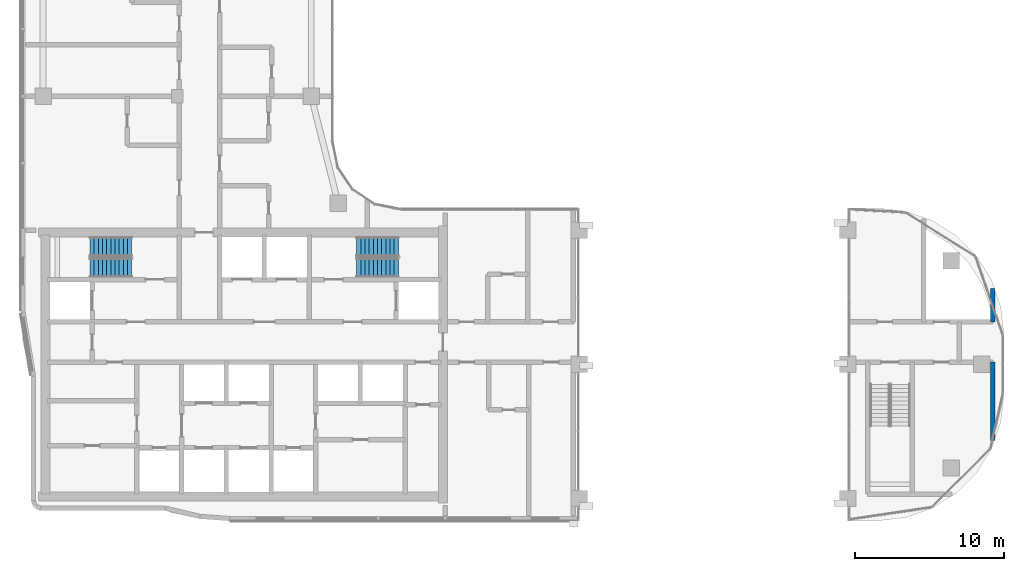
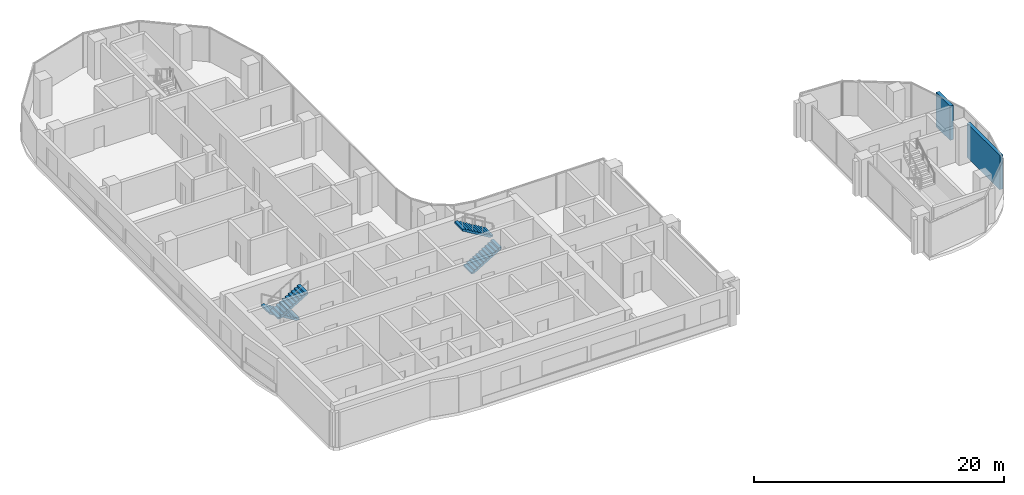
# One storey, part 14 of 23: 4 stair flights, 2 walls, 2 elements without a shape of their own.
"""IFC4 building model written with IfcOpenShell, lengths in metres."""

from ifc_helpers import new_model, si_unit, direction, frame, frame_2d, origin, place, context, subcontext, project, spatial, rectangle, extrude, triangles, source, transform, mapped, material, layer, layer_set, type_object, element, aggregate, save


model = new_model("IFC4")

# Units and contexts
model_context = context("Model", 3, precision=1e-05, world=origin(), true_north=direction((0.0, 1.0)))
body_context = subcontext(model_context, "Body", "Model", "MODEL_VIEW")
ifc_project = project(units=[si_unit("LENGTHUNIT", "METRE"), si_unit("AREAUNIT", "SQUARE_METRE"), si_unit("VOLUMEUNIT", "CUBIC_METRE"), si_unit("PLANEANGLEUNIT", "RADIAN"), si_unit("MASSUNIT", "GRAM", prefix="KILO")], contexts=[model_context])

# Site, building, storey
site_placement = place(None, origin())
site = spatial("IfcSite", under=ifc_project, at=site_placement, CompositionType="ELEMENT")
building_placement = place(site_placement, origin())
building = spatial("IfcBuilding", under=site, at=building_placement, Name="Ogive Portal Towers", CompositionType="ELEMENT")
storey_placement = place(building_placement, frame((0.0, 0.0, 149.60009765625)))
storey = spatial("IfcBuildingStorey", under=building, at=storey_placement, Name="L36", CompositionType="ELEMENT", Elevation=149.60009765625)

# Walls
ifc_material_1 = material(Name="Gypsum board partition on steel studs", Category="steel")
ifc_layer = layer(ifc_material_1, 0.300048828125)
ifc_layer_set = layer_set([ifc_layer], Name="WT-PART-300-EI 60")
wall_type = type_object("IfcWallType", Name="WT-PART-300-EI 60", PredefinedType="PARTITIONING", material=ifc_layer_set)
wall_1_placement = place(storey_placement, frame((95.25, 25.386962890625, 0.0), z_axis=(0.0, 0.0, 1.0), x_axis=(0.0, 1.0, 0.0)))
element("IfcWall", 1, at=wall_1_placement, inside=storey, type_object=wall_type, Name="Wall L36:w049", PredefinedType="PARTITIONING", context=body_context, shape_type="SweptSolid", body=[
    extrude(rectangle(XDim=5.262939453125, YDim=0.300048828125, at=frame_2d((2.63134765625, 0.0))), origin(), (0.0, 0.0, 1.0), 3.349853515625),
])
wall_2_placement = place(storey_placement, frame((95.25, 33.35009765625, 0.0), z_axis=(0.0, 0.0, 1.0), x_axis=(0.0, 1.0, 0.0)))
element("IfcWall", 2, at=wall_2_placement, inside=storey, type_object=wall_type, Name="Wall L36:w050", PredefinedType="PARTITIONING", context=body_context, shape_type="SweptSolid", body=[
    extrude(rectangle(XDim=2.262939453125, YDim=0.300048828125, at=frame_2d((1.13134765625, 0.0))), origin(), (0.0, 0.0, 1.0), 3.349853515625),
])

# Stair, stair flights
ifc_material_2 = material(Name="Concrete C40/50", Category="concrete")
stair_type = type_object("IfcStairType", Name="INT-STAIR", PredefinedType="HALF_TURN_STAIR", material=ifc_material_2)
stair_1_placement = place(storey_placement, origin())
stair_1 = element("IfcStair", 3, at=stair_1_placement, inside=storey, type_object=stair_type, Name="L36 Exit Stair ST-A1", PredefinedType="HALF_TURN_STAIR")
stair_flight_type = type_object("IfcStairFlightType", Name="INT-FLIGHT", PredefinedType="STRAIGHT", material=ifc_material_2)
shared_shape = source(origin(), body_context, "Body", "Tessellation", [
    triangles([(0.0, -0.650146484375, 0.0), (0.0, -0.376220703125, 0.0), (0.0, -0.192626953125, 0.0), (0.0, -0.081298828125, 0.0), (0.0, -0.024169921875, 0.0), (0.0, -0.003173828125, 0.0), (0.0, 0.0, 0.0), (0.0, 0.0029296875, 0.0), (0.0, 0.02392578125, 0.0), (0.0, 0.0810546875, 0.0), (0.0, 0.1923828125, 0.0), (0.0, 0.3759765625, 0.0), (0.0, 0.64990234375, 0.0), (0.0, -0.650146484375, 0.168212890625), (0.0, -0.376220703125, 0.168212890625), (0.0, -0.192626953125, 0.168212890625), (0.0, -0.081298828125, 0.168212890625), (0.0, -0.024169921875, 0.168212890625), (0.0, -0.003173828125, 0.168212890625), (0.0, 0.0, 0.168212890625), (0.0, 0.0029296875, 0.168212890625), (0.0, 0.02392578125, 0.168212890625), (0.0, 0.0810546875, 0.168212890625), (0.0, 0.1923828125, 0.168212890625), (0.0, 0.3759765625, 0.168212890625), (0.0, 0.64990234375, 0.168212890625), (0.280029296875, -0.650146484375, 0.168212890625), (0.280029296875, -0.376220703125, 0.168212890625), (0.280029296875, -0.192626953125, 0.168212890625), (0.280029296875, -0.081298828125, 0.168212890625), (0.280029296875, -0.024169921875, 0.168212890625), (0.280029296875, -0.003173828125, 0.168212890625), (0.280029296875, 0.0, 0.168212890625), (0.280029296875, 0.0029296875, 0.168212890625), (0.280029296875, 0.02392578125, 0.168212890625), (0.280029296875, 0.0810546875, 0.168212890625), (0.280029296875, 0.1923828125, 0.168212890625), (0.280029296875, 0.3759765625, 0.168212890625), (0.280029296875, 0.64990234375, 0.168212890625), (0.280029296875, -0.650146484375, 0.33642578125), (0.280029296875, -0.376220703125, 0.33642578125), (0.280029296875, -0.192626953125, 0.33642578125), (0.280029296875, -0.081298828125, 0.33642578125), (0.280029296875, -0.024169921875, 0.33642578125), (0.280029296875, -0.003173828125, 0.33642578125), (0.280029296875, 0.0, 0.33642578125), (0.280029296875, 0.0029296875, 0.33642578125), (0.280029296875, 0.02392578125, 0.33642578125), (0.280029296875, 0.0810546875, 0.33642578125), (0.280029296875, 0.1923828125, 0.33642578125), (0.280029296875, 0.3759765625, 0.33642578125), (0.280029296875, 0.64990234375, 0.33642578125), (0.56005859375, -0.650146484375, 0.33642578125), (0.56005859375, -0.376220703125, 0.33642578125), (0.56005859375, -0.192626953125, 0.33642578125), (0.56005859375, -0.081298828125, 0.33642578125), (0.56005859375, -0.024169921875, 0.33642578125), (0.56005859375, -0.003173828125, 0.33642578125), (0.56005859375, 0.0, 0.33642578125), (0.56005859375, 0.0029296875, 0.33642578125), (0.56005859375, 0.02392578125, 0.33642578125), (0.56005859375, 0.0810546875, 0.33642578125), (0.56005859375, 0.1923828125, 0.33642578125), (0.56005859375, 0.3759765625, 0.33642578125), (0.56005859375, 0.64990234375, 0.33642578125), (0.56005859375, -0.650146484375, 0.504638671875), (0.56005859375, -0.376220703125, 0.504638671875), (0.56005859375, -0.192626953125, 0.504638671875), (0.56005859375, -0.081298828125, 0.504638671875), (0.56005859375, -0.024169921875, 0.504638671875), (0.56005859375, -0.003173828125, 0.504638671875), (0.56005859375, 0.0, 0.504638671875), (0.56005859375, 0.0029296875, 0.504638671875), (0.56005859375, 0.02392578125, 0.504638671875), (0.56005859375, 0.0810546875, 0.504638671875), (0.56005859375, 0.1923828125, 0.504638671875), (0.56005859375, 0.3759765625, 0.504638671875), (0.56005859375, 0.64990234375, 0.504638671875), (0.840087890625, -0.650146484375, 0.504638671875), (0.840087890625, -0.376220703125, 0.504638671875), (0.840087890625, -0.192626953125, 0.504638671875), (0.840087890625, -0.081298828125, 0.504638671875), (0.840087890625, -0.024169921875, 0.504638671875), (0.840087890625, -0.003173828125, 0.504638671875), (0.840087890625, 0.0, 0.504638671875), (0.840087890625, 0.0029296875, 0.504638671875), (0.840087890625, 0.02392578125, 0.504638671875), (0.840087890625, 0.0810546875, 0.504638671875), (0.840087890625, 0.1923828125, 0.504638671875), (0.840087890625, 0.3759765625, 0.504638671875), (0.840087890625, 0.64990234375, 0.504638671875), (0.840087890625, -0.650146484375, 0.672607421875), (0.840087890625, -0.376220703125, 0.672607421875), (0.840087890625, -0.192626953125, 0.672607421875), (0.840087890625, -0.081298828125, 0.672607421875), (0.840087890625, -0.024169921875, 0.672607421875), (0.840087890625, -0.003173828125, 0.672607421875), (0.840087890625, 0.0, 0.672607421875), (0.840087890625, 0.0029296875, 0.672607421875), (0.840087890625, 0.02392578125, 0.672607421875), (0.840087890625, 0.0810546875, 0.672607421875), (0.840087890625, 0.1923828125, 0.672607421875), (0.840087890625, 0.3759765625, 0.672607421875), (0.840087890625, 0.64990234375, 0.672607421875), (1.1201171875, -0.650146484375, 0.672607421875), (1.1201171875, -0.376220703125, 0.672607421875), (1.1201171875, -0.192626953125, 0.672607421875), (1.1201171875, -0.081298828125, 0.672607421875), (1.1201171875, -0.024169921875, 0.672607421875), (1.1201171875, -0.003173828125, 0.672607421875), (1.1201171875, 0.0, 0.672607421875), (1.1201171875, 0.0029296875, 0.672607421875), (1.1201171875, 0.02392578125, 0.672607421875), (1.1201171875, 0.0810546875, 0.672607421875), (1.1201171875, 0.1923828125, 0.672607421875), (1.1201171875, 0.3759765625, 0.672607421875), (1.1201171875, 0.64990234375, 0.672607421875), (1.1201171875, -0.650146484375, 0.8408203125), (1.1201171875, -0.376220703125, 0.8408203125), (1.1201171875, -0.192626953125, 0.8408203125), (1.1201171875, -0.081298828125, 0.8408203125), (1.1201171875, -0.024169921875, 0.8408203125), (1.1201171875, -0.003173828125, 0.8408203125), (1.1201171875, 0.0, 0.8408203125), (1.1201171875, 0.0029296875, 0.8408203125), (1.1201171875, 0.02392578125, 0.8408203125), (1.1201171875, 0.0810546875, 0.8408203125), (1.1201171875, 0.1923828125, 0.8408203125), (1.1201171875, 0.3759765625, 0.8408203125), (1.1201171875, 0.64990234375, 0.8408203125), (1.39990234375, -0.650146484375, 0.8408203125), (1.39990234375, -0.376220703125, 0.8408203125), (1.39990234375, -0.192626953125, 0.8408203125), (1.39990234375, -0.081298828125, 0.8408203125), (1.39990234375, -0.024169921875, 0.8408203125), (1.39990234375, -0.003173828125, 0.8408203125), (1.39990234375, 0.0, 0.8408203125), (1.39990234375, 0.0029296875, 0.8408203125), (1.39990234375, 0.02392578125, 0.8408203125), (1.39990234375, 0.0810546875, 0.8408203125), (1.39990234375, 0.1923828125, 0.8408203125), (1.39990234375, 0.3759765625, 0.8408203125), (1.39990234375, 0.64990234375, 0.8408203125), (1.39990234375, -0.650146484375, 1.009033203125), (1.39990234375, -0.376220703125, 1.009033203125), (1.39990234375, -0.192626953125, 1.009033203125), (1.39990234375, -0.081298828125, 1.009033203125), (1.39990234375, -0.024169921875, 1.009033203125), (1.39990234375, -0.003173828125, 1.009033203125), (1.39990234375, 0.0, 1.009033203125), (1.39990234375, 0.0029296875, 1.009033203125), (1.39990234375, 0.02392578125, 1.009033203125), (1.39990234375, 0.0810546875, 1.009033203125), (1.39990234375, 0.1923828125, 1.009033203125), (1.39990234375, 0.3759765625, 1.009033203125), (1.39990234375, 0.64990234375, 1.009033203125), (1.679931640625, -0.650146484375, 1.009033203125), (1.679931640625, -0.376220703125, 1.009033203125), (1.679931640625, -0.192626953125, 1.009033203125), (1.679931640625, -0.081298828125, 1.009033203125), (1.679931640625, -0.024169921875, 1.009033203125), (1.679931640625, -0.003173828125, 1.009033203125), (1.679931640625, 0.0, 1.009033203125), (1.679931640625, 0.0029296875, 1.009033203125), (1.679931640625, 0.02392578125, 1.009033203125), (1.679931640625, 0.0810546875, 1.009033203125), (1.679931640625, 0.1923828125, 1.009033203125), (1.679931640625, 0.3759765625, 1.009033203125), (1.679931640625, 0.64990234375, 1.009033203125), (1.679931640625, -0.650146484375, 1.17724609375), (1.679931640625, -0.376220703125, 1.17724609375), (1.679931640625, -0.192626953125, 1.17724609375), (1.679931640625, -0.081298828125, 1.17724609375), (1.679931640625, -0.024169921875, 1.17724609375), (1.679931640625, -0.003173828125, 1.17724609375), (1.679931640625, 0.0, 1.17724609375), (1.679931640625, 0.0029296875, 1.17724609375), (1.679931640625, 0.02392578125, 1.17724609375), (1.679931640625, 0.0810546875, 1.17724609375), (1.679931640625, 0.1923828125, 1.17724609375), (1.679931640625, 0.3759765625, 1.17724609375), (1.679931640625, 0.64990234375, 1.17724609375), (1.9599609375, -0.650146484375, 1.17724609375), (1.9599609375, -0.376220703125, 1.17724609375), (1.9599609375, -0.192626953125, 1.17724609375), (1.9599609375, -0.081298828125, 1.17724609375), (1.9599609375, -0.024169921875, 1.17724609375), (1.9599609375, -0.003173828125, 1.17724609375), (1.9599609375, 0.0, 1.17724609375), (1.9599609375, 0.0029296875, 1.17724609375), (1.9599609375, 0.02392578125, 1.17724609375), (1.9599609375, 0.0810546875, 1.17724609375), (1.9599609375, 0.1923828125, 1.17724609375), (1.9599609375, 0.3759765625, 1.17724609375), (1.9599609375, 0.64990234375, 1.17724609375), (1.9599609375, -0.650146484375, 1.345458984375), (1.9599609375, -0.376220703125, 1.345458984375), (1.9599609375, -0.192626953125, 1.345458984375), (1.9599609375, -0.081298828125, 1.345458984375), (1.9599609375, -0.024169921875, 1.345458984375), (1.9599609375, -0.003173828125, 1.345458984375), (1.9599609375, 0.0, 1.345458984375), (1.9599609375, 0.0029296875, 1.345458984375), (1.9599609375, 0.02392578125, 1.345458984375), (1.9599609375, 0.0810546875, 1.345458984375), (1.9599609375, 0.1923828125, 1.345458984375), (1.9599609375, 0.3759765625, 1.345458984375), (1.9599609375, 0.64990234375, 1.345458984375), (2.239990234375, -0.650146484375, 1.345458984375), (2.239990234375, -0.376220703125, 1.345458984375), (2.239990234375, -0.192626953125, 1.345458984375), (2.239990234375, -0.081298828125, 1.345458984375), (2.239990234375, -0.024169921875, 1.345458984375), (2.239990234375, -0.003173828125, 1.345458984375), (2.239990234375, 0.0, 1.345458984375), (2.239990234375, 0.0029296875, 1.345458984375), (2.239990234375, 0.02392578125, 1.345458984375), (2.239990234375, 0.0810546875, 1.345458984375), (2.239990234375, 0.1923828125, 1.345458984375), (2.239990234375, 0.3759765625, 1.345458984375), (2.239990234375, 0.64990234375, 1.345458984375), (2.239990234375, -0.650146484375, 1.513671875), (2.239990234375, -0.376220703125, 1.513671875), (2.239990234375, -0.192626953125, 1.513671875), (2.239990234375, -0.081298828125, 1.513671875), (2.239990234375, -0.024169921875, 1.513671875), (2.239990234375, -0.003173828125, 1.513671875), (2.239990234375, 0.0, 1.513671875), (2.239990234375, 0.0029296875, 1.513671875), (2.239990234375, 0.02392578125, 1.513671875), (2.239990234375, 0.0810546875, 1.513671875), (2.239990234375, 0.1923828125, 1.513671875), (2.239990234375, 0.3759765625, 1.513671875), (2.239990234375, 0.64990234375, 1.513671875), (2.52001953125, -0.650146484375, 1.513671875), (2.52001953125, -0.376220703125, 1.513671875), (2.52001953125, -0.192626953125, 1.513671875), (2.52001953125, -0.081298828125, 1.513671875), (2.52001953125, -0.024169921875, 1.513671875), (2.52001953125, -0.003173828125, 1.513671875), (2.52001953125, 0.0, 1.513671875), (2.52001953125, 0.0029296875, 1.513671875), (2.52001953125, 0.02392578125, 1.513671875), (2.52001953125, 0.0810546875, 1.513671875), (2.52001953125, 0.1923828125, 1.513671875), (2.52001953125, 0.3759765625, 1.513671875), (2.52001953125, 0.64990234375, 1.513671875), (2.52001953125, -0.650146484375, 1.681884765625), (2.52001953125, -0.376220703125, 1.681884765625), (2.52001953125, -0.192626953125, 1.681884765625), (2.52001953125, -0.081298828125, 1.681884765625), (2.52001953125, -0.024169921875, 1.681884765625), (2.52001953125, -0.003173828125, 1.681884765625), (2.52001953125, 0.0, 1.681884765625), (2.52001953125, 0.0029296875, 1.681884765625), (2.52001953125, 0.02392578125, 1.681884765625), (2.52001953125, 0.0810546875, 1.681884765625), (2.52001953125, 0.1923828125, 1.681884765625), (2.52001953125, 0.3759765625, 1.681884765625), (2.52001953125, 0.64990234375, 1.681884765625), (2.800048828125, -0.650146484375, 1.681884765625), (2.800048828125, -0.376220703125, 1.681884765625), (2.800048828125, -0.192626953125, 1.681884765625), (2.800048828125, -0.081298828125, 1.681884765625), (2.800048828125, -0.024169921875, 1.681884765625), (2.800048828125, -0.003173828125, 1.681884765625), (2.800048828125, 0.0, 1.681884765625), (2.800048828125, 0.0029296875, 1.681884765625), (2.800048828125, 0.02392578125, 1.681884765625), (2.800048828125, 0.0810546875, 1.681884765625), (2.800048828125, 0.1923828125, 1.681884765625), (2.800048828125, 0.3759765625, 1.681884765625), (2.800048828125, 0.64990234375, 1.681884765625), (2.800048828125, -0.650146484375, 1.5068359375), (2.800048828125, -0.376220703125, 1.5068359375), (2.800048828125, -0.192626953125, 1.5068359375), (2.800048828125, -0.081298828125, 1.5068359375), (2.800048828125, -0.024169921875, 1.5068359375), (2.800048828125, -0.003173828125, 1.5068359375), (2.800048828125, 0.0, 1.5068359375), (2.800048828125, 0.0029296875, 1.5068359375), (2.800048828125, 0.02392578125, 1.5068359375), (2.800048828125, 0.0810546875, 1.5068359375), (2.800048828125, 0.1923828125, 1.5068359375), (2.800048828125, 0.3759765625, 1.5068359375), (2.800048828125, 0.64990234375, 1.5068359375), (0.291015625, -0.650146484375, 0.0), (0.291015625, -0.376220703125, 0.0), (0.291015625, -0.192626953125, 0.0), (0.291015625, -0.081298828125, 0.0), (0.291015625, -0.024169921875, 0.0), (0.291015625, -0.003173828125, 0.0), (0.291015625, 0.0, 0.0), (0.291015625, 0.0029296875, 0.0), (0.291015625, 0.02392578125, 0.0), (0.291015625, 0.0810546875, 0.0), (0.291015625, 0.1923828125, 0.0), (0.291015625, 0.3759765625, 0.0), (0.291015625, 0.64990234375, 0.0)], [[1, 14, 15], [1, 15, 2], [2, 15, 16], [2, 16, 3], [3, 16, 17], [3, 17, 4], [4, 17, 18], [4, 18, 5], [5, 18, 19], [5, 19, 6], [6, 19, 20], [6, 20, 7], [7, 20, 21], [7, 21, 8], [8, 21, 22], [8, 22, 9], [9, 22, 23], [9, 23, 10], [10, 23, 24], [10, 24, 11], [11, 24, 25], [11, 25, 12], [12, 25, 26], [12, 26, 13], [14, 27, 28], [14, 28, 15], [15, 28, 29], [15, 29, 16], [16, 29, 30], [16, 30, 17], [17, 30, 31], [17, 31, 18], [18, 31, 32], [18, 32, 19], [19, 32, 33], [19, 33, 20], [20, 33, 34], [20, 34, 21], [21, 34, 35], [21, 35, 22], [22, 35, 36], [22, 36, 23], [23, 36, 37], [23, 37, 24], [24, 37, 38], [24, 38, 25], [25, 38, 39], [25, 39, 26], [27, 40, 41], [27, 41, 28], [28, 41, 42], [28, 42, 29], [29, 42, 43], [29, 43, 30], [30, 43, 44], [30, 44, 31], [31, 44, 45], [31, 45, 32], [32, 45, 46], [32, 46, 33], [33, 46, 47], [33, 47, 34], [34, 47, 48], [34, 48, 35], [35, 48, 49], [35, 49, 36], [36, 49, 50], [36, 50, 37], [37, 50, 51], [37, 51, 38], [38, 51, 52], [38, 52, 39], [40, 53, 54], [40, 54, 41], [41, 54, 55], [41, 55, 42], [42, 55, 56], [42, 56, 43], [43, 56, 57], [43, 57, 44], [44, 57, 58], [44, 58, 45], [45, 58, 59], [45, 59, 46], [46, 59, 60], [46, 60, 47], [47, 60, 61], [47, 61, 48], [48, 61, 62], [48, 62, 49], [49, 62, 63], [49, 63, 50], [50, 63, 64], [50, 64, 51], [51, 64, 65], [51, 65, 52], [53, 66, 67], [53, 67, 54], [54, 67, 68], [54, 68, 55], [55, 68, 69], [55, 69, 56], [56, 69, 70], [56, 70, 57], [57, 70, 71], [57, 71, 58], [58, 71, 72], [58, 72, 59], [59, 72, 73], [59, 73, 60], [60, 73, 74], [60, 74, 61], [61, 74, 75], [61, 75, 62], [62, 75, 76], [62, 76, 63], [63, 76, 77], [63, 77, 64], [64, 77, 78], [64, 78, 65], [66, 79, 80], [66, 80, 67], [67, 80, 81], [67, 81, 68], [68, 81, 82], [68, 82, 69], [69, 82, 83], [69, 83, 70], [70, 83, 84], [70, 84, 71], [71, 84, 85], [71, 85, 72], [72, 85, 86], [72, 86, 73], [73, 86, 87], [73, 87, 74], [74, 87, 88], [74, 88, 75], [75, 88, 89], [75, 89, 76], [76, 89, 90], [76, 90, 77], [77, 90, 91], [77, 91, 78], [79, 92, 93], [79, 93, 80], [80, 93, 94], [80, 94, 81], [81, 94, 95], [81, 95, 82], [82, 95, 96], [82, 96, 83], [83, 96, 97], [83, 97, 84], [84, 97, 98], [84, 98, 85], [85, 98, 99], [85, 99, 86], [86, 99, 100], [86, 100, 87], [87, 100, 101], [87, 101, 88], [88, 101, 102], [88, 102, 89], [89, 102, 103], [89, 103, 90], [90, 103, 104], [90, 104, 91], [92, 105, 106], [92, 106, 93], [93, 106, 107], [93, 107, 94], [94, 107, 108], [94, 108, 95], [95, 108, 109], [95, 109, 96], [96, 109, 110], [96, 110, 97], [97, 110, 111], [97, 111, 98], [98, 111, 112], [98, 112, 99], [99, 112, 113], [99, 113, 100], [100, 113, 114], [100, 114, 101], [101, 114, 115], [101, 115, 102], [102, 115, 116], [102, 116, 103], [103, 116, 117], [103, 117, 104], [105, 118, 119], [105, 119, 106], [106, 119, 120], [106, 120, 107], [107, 120, 121], [107, 121, 108], [108, 121, 122], [108, 122, 109], [109, 122, 123], [109, 123, 110], [110, 123, 124], [110, 124, 111], [111, 124, 125], [111, 125, 112], [112, 125, 126], [112, 126, 113], [113, 126, 127], [113, 127, 114], [114, 127, 128], [114, 128, 115], [115, 128, 129], [115, 129, 116], [116, 129, 130], [116, 130, 117], [118, 131, 132], [118, 132, 119], [119, 132, 133], [119, 133, 120], [120, 133, 134], [120, 134, 121], [121, 134, 135], [121, 135, 122], [122, 135, 136], [122, 136, 123], [123, 136, 137], [123, 137, 124], [124, 137, 138], [124, 138, 125], [125, 138, 139], [125, 139, 126], [126, 139, 140], [126, 140, 127], [127, 140, 141], [127, 141, 128], [128, 141, 142], [128, 142, 129], [129, 142, 143], [129, 143, 130], [131, 144, 145], [131, 145, 132], [132, 145, 146], [132, 146, 133], [133, 146, 147], [133, 147, 134], [134, 147, 148], [134, 148, 135], [135, 148, 149], [135, 149, 136], [136, 149, 150], [136, 150, 137], [137, 150, 151], [137, 151, 138], [138, 151, 152], [138, 152, 139], [139, 152, 153], [139, 153, 140], [140, 153, 154], [140, 154, 141], [141, 154, 155], [141, 155, 142], [142, 155, 156], [142, 156, 143], [144, 157, 158], [144, 158, 145], [145, 158, 159], [145, 159, 146], [146, 159, 160], [146, 160, 147], [147, 160, 161], [147, 161, 148], [148, 161, 162], [148, 162, 149], [149, 162, 163], [149, 163, 150], [150, 163, 164], [150, 164, 151], [151, 164, 165], [151, 165, 152], [152, 165, 166], [152, 166, 153], [153, 166, 167], [153, 167, 154], [154, 167, 168], [154, 168, 155], [155, 168, 169], [155, 169, 156], [157, 170, 171], [157, 171, 158], [158, 171, 172], [158, 172, 159], [159, 172, 173], [159, 173, 160], [160, 173, 174], [160, 174, 161], [161, 174, 175], [161, 175, 162], [162, 175, 176], [162, 176, 163], [163, 176, 177], [163, 177, 164], [164, 177, 178], [164, 178, 165], [165, 178, 179], [165, 179, 166], [166, 179, 180], [166, 180, 167], [167, 180, 181], [167, 181, 168], [168, 181, 182], [168, 182, 169], [170, 183, 184], [170, 184, 171], [171, 184, 185], [171, 185, 172], [172, 185, 186], [172, 186, 173], [173, 186, 187], [173, 187, 174], [174, 187, 188], [174, 188, 175], [175, 188, 189], [175, 189, 176], [176, 189, 190], [176, 190, 177], [177, 190, 191], [177, 191, 178], [178, 191, 192], [178, 192, 179], [179, 192, 193], [179, 193, 180], [180, 193, 194], [180, 194, 181], [181, 194, 195], [181, 195, 182], [183, 196, 197], [183, 197, 184], [184, 197, 198], [184, 198, 185], [185, 198, 199], [185, 199, 186], [186, 199, 200], [186, 200, 187], [187, 200, 201], [187, 201, 188], [188, 201, 202], [188, 202, 189], [189, 202, 203], [189, 203, 190], [190, 203, 204], [190, 204, 191], [191, 204, 205], [191, 205, 192], [192, 205, 206], [192, 206, 193], [193, 206, 207], [193, 207, 194], [194, 207, 208], [194, 208, 195], [196, 209, 210], [196, 210, 197], [197, 210, 211], [197, 211, 198], [198, 211, 212], [198, 212, 199], [199, 212, 213], [199, 213, 200], [200, 213, 214], [200, 214, 201], [201, 214, 215], [201, 215, 202], [202, 215, 216], [202, 216, 203], [203, 216, 217], [203, 217, 204], [204, 217, 218], [204, 218, 205], [205, 218, 219], [205, 219, 206], [206, 219, 220], [206, 220, 207], [207, 220, 221], [207, 221, 208], [209, 222, 223], [209, 223, 210], [210, 223, 224], [210, 224, 211], [211, 224, 225], [211, 225, 212], [212, 225, 226], [212, 226, 213], [213, 226, 227], [213, 227, 214], [214, 227, 228], [214, 228, 215], [215, 228, 229], [215, 229, 216], [216, 229, 230], [216, 230, 217], [217, 230, 231], [217, 231, 218], [218, 231, 232], [218, 232, 219], [219, 232, 233], [219, 233, 220], [220, 233, 234], [220, 234, 221], [222, 235, 236], [222, 236, 223], [223, 236, 237], [223, 237, 224], [224, 237, 238], [224, 238, 225], [225, 238, 239], [225, 239, 226], [226, 239, 240], [226, 240, 227], [227, 240, 241], [227, 241, 228], [228, 241, 242], [228, 242, 229], [229, 242, 243], [229, 243, 230], [230, 243, 244], [230, 244, 231], [231, 244, 245], [231, 245, 232], [232, 245, 246], [232, 246, 233], [233, 246, 247], [233, 247, 234], [235, 248, 249], [235, 249, 236], [236, 249, 250], [236, 250, 237], [237, 250, 251], [237, 251, 238], [238, 251, 252], [238, 252, 239], [239, 252, 253], [239, 253, 240], [240, 253, 254], [240, 254, 241], [241, 254, 255], [241, 255, 242], [242, 255, 256], [242, 256, 243], [243, 256, 257], [243, 257, 244], [244, 257, 258], [244, 258, 245], [245, 258, 259], [245, 259, 246], [246, 259, 260], [246, 260, 247], [248, 261, 262], [248, 262, 249], [249, 262, 263], [249, 263, 250], [250, 263, 264], [250, 264, 251], [251, 264, 265], [251, 265, 252], [252, 265, 266], [252, 266, 253], [253, 266, 267], [253, 267, 254], [254, 267, 268], [254, 268, 255], [255, 268, 269], [255, 269, 256], [256, 269, 270], [256, 270, 257], [257, 270, 271], [257, 271, 258], [258, 271, 272], [258, 272, 259], [259, 272, 273], [259, 273, 260], [261, 274, 275], [261, 275, 262], [262, 275, 276], [262, 276, 263], [263, 276, 277], [263, 277, 264], [264, 277, 278], [264, 278, 265], [265, 278, 279], [265, 279, 266], [266, 279, 280], [266, 280, 267], [267, 280, 281], [267, 281, 268], [268, 281, 282], [268, 282, 269], [269, 282, 283], [269, 283, 270], [270, 283, 284], [270, 284, 271], [271, 284, 285], [271, 285, 272], [272, 285, 286], [272, 286, 273], [274, 287, 288], [274, 288, 275], [275, 288, 289], [275, 289, 276], [276, 289, 290], [276, 290, 277], [277, 290, 291], [277, 291, 278], [278, 291, 292], [278, 292, 279], [279, 292, 293], [279, 293, 280], [280, 293, 294], [280, 294, 281], [281, 294, 295], [281, 295, 282], [282, 295, 296], [282, 296, 283], [283, 296, 297], [283, 297, 284], [284, 297, 298], [284, 298, 285], [285, 298, 299], [285, 299, 286], [287, 1, 2], [287, 2, 288], [288, 2, 3], [288, 3, 289], [289, 3, 4], [289, 4, 290], [290, 4, 5], [290, 5, 291], [291, 5, 6], [291, 6, 292], [292, 6, 7], [292, 7, 293], [293, 7, 8], [293, 8, 294], [294, 8, 9], [294, 9, 295], [295, 9, 10], [295, 10, 296], [296, 10, 11], [296, 11, 297], [297, 11, 12], [297, 12, 298], [298, 12, 13], [298, 13, 299], [1, 287, 274], [13, 286, 299], [274, 261, 248], [286, 260, 273], [274, 248, 235], [286, 247, 260], [274, 235, 222], [286, 234, 247], [274, 222, 209], [286, 221, 234], [209, 196, 183], [221, 195, 208], [274, 209, 183], [286, 195, 221], [183, 170, 157], [195, 169, 182], [274, 183, 157], [286, 169, 195], [157, 144, 131], [169, 143, 156], [274, 157, 131], [286, 143, 169], [131, 118, 105], [143, 117, 130], [274, 131, 105], [286, 117, 143], [1, 274, 105], [13, 117, 286], [105, 92, 79], [117, 91, 104], [79, 66, 53], [91, 65, 78], [105, 79, 53], [117, 65, 91], [53, 40, 27], [65, 39, 52], [105, 53, 27], [117, 39, 65], [1, 105, 27], [13, 39, 117], [27, 14, 1], [39, 13, 26]], closed=True),
])
stair_flight_1_placement = place(storey_placement, frame((37.449951171875, 38.39990234375, 0.0), z_axis=(0.0, 0.0, 1.0), x_axis=(-1.0, 0.0, 0.0)))
stair_flight_1 = element("IfcStairFlight", 4, at=stair_flight_1_placement, type_object=stair_flight_type, Name="ST-A1 flight 1", NumberOfRisers=11, NumberOfTreads=10, PredefinedType="STRAIGHT", RiserHeight=0.168181818, TreadLength=0.28, context=body_context, shape_type="MappedRepresentation", body=[
    mapped(shared_shape, transform((0.0, 0.0, 0.0), scale=1.0)),
])
stair_flight_2_placement = place(storey_placement, frame((34.64990234375, 37.0, 1.849853515625), z_axis=(0.0, 0.0, 1.0), x_axis=(1.0, 0.0, 0.0)))
stair_flight_2 = element("IfcStairFlight", 5, at=stair_flight_2_placement, type_object=stair_flight_type, Name="ST-A1 flight 2", NumberOfRisers=11, NumberOfTreads=10, PredefinedType="STRAIGHT", RiserHeight=0.168181818, TreadLength=0.28, context=body_context, shape_type="MappedRepresentation", body=[
    mapped(shared_shape, transform((0.0, 0.0, 0.0), scale=1.0)),
])
aggregate(stair_1, [stair_flight_1, stair_flight_2])

stair_2_placement = place(storey_placement, origin())
stair_2 = element("IfcStair", 6, at=stair_2_placement, inside=storey, type_object=stair_type, Name="L36 Exit Stair ST-A2", PredefinedType="HALF_TURN_STAIR")
stair_flight_3_placement = place(storey_placement, frame((52.550048828125, 37.0, 0.0), z_axis=(0.0, 0.0, 1.0), x_axis=(1.0, 0.0, 0.0)))
stair_flight_3 = element("IfcStairFlight", 7, at=stair_flight_3_placement, type_object=stair_flight_type, Name="ST-A2 flight 1", NumberOfRisers=11, NumberOfTreads=10, PredefinedType="STRAIGHT", RiserHeight=0.168181818, TreadLength=0.28, context=body_context, shape_type="MappedRepresentation", body=[
    mapped(shared_shape, transform((0.0, 0.0, 0.0), scale=1.0)),
])
stair_flight_4_placement = place(storey_placement, frame((55.35009765625, 38.39990234375, 1.849853515625), z_axis=(0.0, 0.0, 1.0), x_axis=(-1.0, 0.0, 0.0)))
stair_flight_4 = element("IfcStairFlight", 8, at=stair_flight_4_placement, type_object=stair_flight_type, Name="ST-A2 flight 2", NumberOfRisers=11, NumberOfTreads=10, PredefinedType="STRAIGHT", RiserHeight=0.168181818, TreadLength=0.28, context=body_context, shape_type="MappedRepresentation", body=[
    mapped(shared_shape, transform((0.0, 0.0, 0.0), scale=1.0)),
])
aggregate(stair_2, [stair_flight_3, stair_flight_4])

save(model, "model.ifc")
